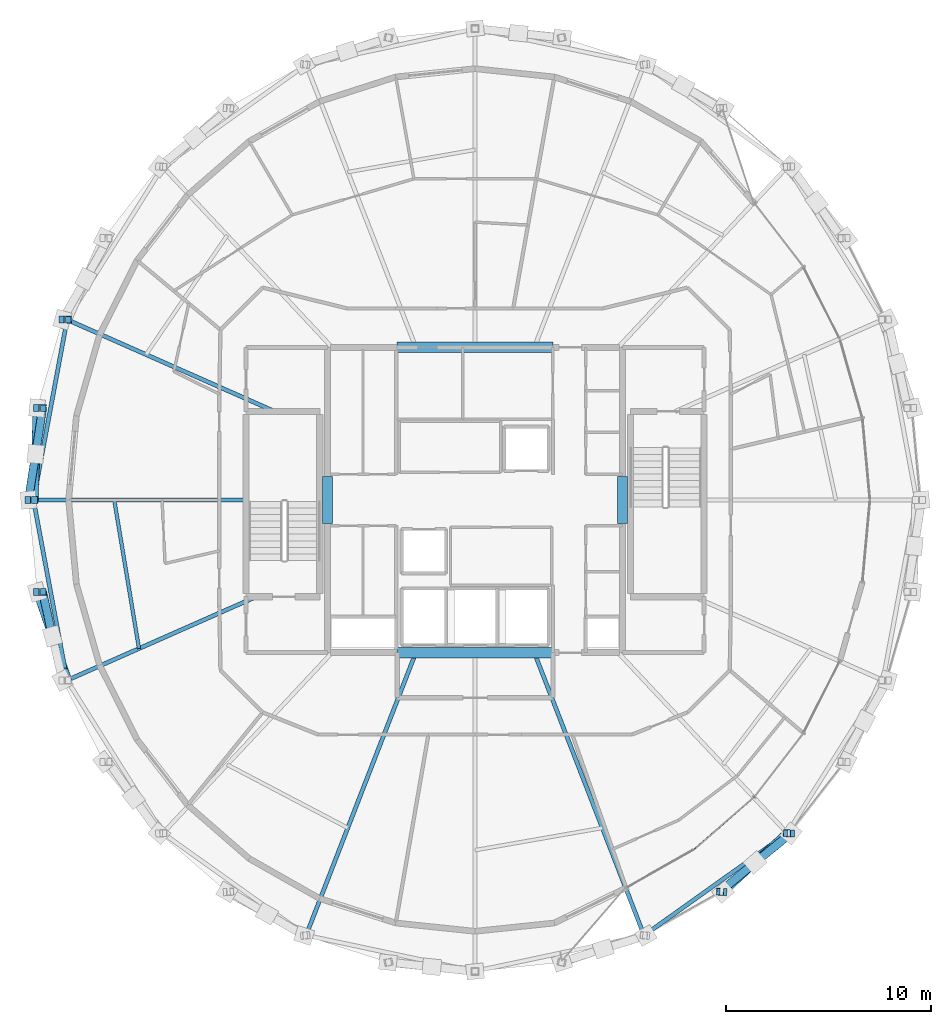
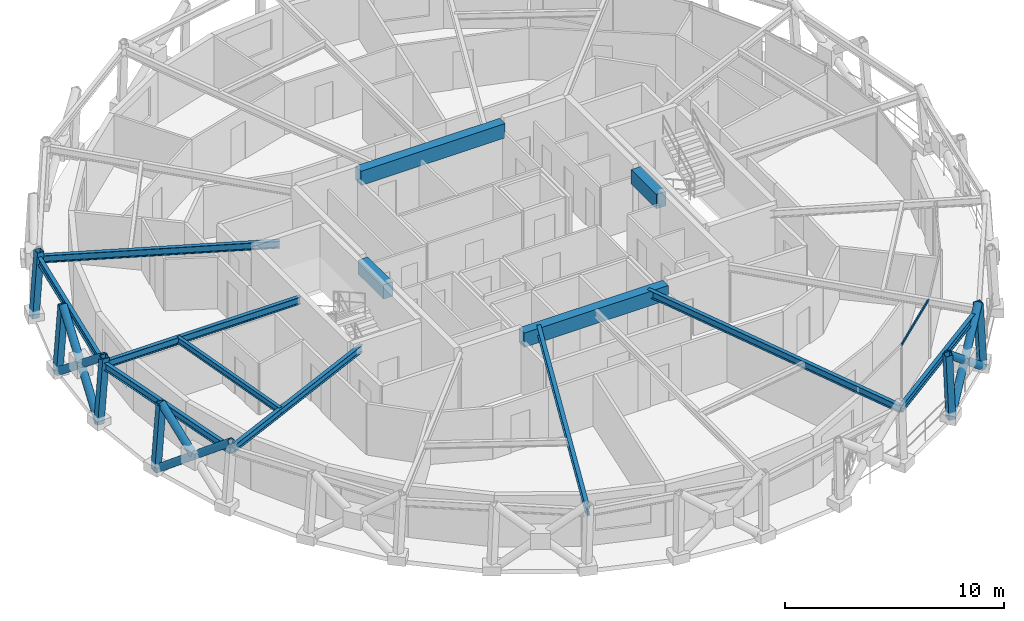
# One storey, part 3 of 15: 15 members, 13 beams, 1 element without a shape of its own.
"""IFC4 building model written with IfcOpenShell, lengths in metres."""

from ifc_helpers import new_model, si_unit, direction, frame, origin, origin_2d, place, context, subcontext, project, spatial, rectangle, hollow_rectangle, hollow_circle, i_section, extrude, material, layer, layer_set, material_profile, profile_set, type_object, element, aggregate, save


model = new_model("IFC4")

# Units and contexts
model_context = context("Model", 3, precision=1e-05, world=origin(), true_north=direction((0.0, 1.0)))
body_context = subcontext(model_context, "Body", "Model", "MODEL_VIEW")
ifc_project = project(units=[si_unit("LENGTHUNIT", "METRE"), si_unit("AREAUNIT", "SQUARE_METRE"), si_unit("VOLUMEUNIT", "CUBIC_METRE"), si_unit("PLANEANGLEUNIT", "RADIAN"), si_unit("MASSUNIT", "GRAM", prefix="KILO")], contexts=[model_context])

# Site, building, storey
site_placement = place(None, origin())
site = spatial("IfcSite", under=ifc_project, at=site_placement, CompositionType="ELEMENT")
building_placement = place(site_placement, origin())
building = spatial("IfcBuilding", under=site, at=building_placement, Name="Veldorina Hangang Commons", CompositionType="ELEMENT")
storey_placement = place(building_placement, frame((0.0, 0.0, 265.199951171875)))
storey = spatial("IfcBuildingStorey", under=building, at=storey_placement, Name="L69", CompositionType="ELEMENT", Elevation=265.199951171875)

# Beams
ifc_material_1 = material(Name="Concrete C50/60", Category="concrete")
ifc_material_profile_1 = material_profile(ifc_material_1, rectangle(XDim=0.5, YDim=0.800048828125, at=origin_2d()), Name="RC-CB-500x800")
ifc_profile_set_1 = profile_set([ifc_material_profile_1], Name="Concrete C50/60")
beam_type_1 = type_object("IfcBeamType", Name="BM-CB800", PredefinedType="LINTEL", material=ifc_profile_set_1)
for number, where, z_axis, x_axis, name in (
    (1, (24.800048828125, 22.85009765625, 2.9599609375), (0.0, 1.0, 0.0), (-1.0, 0.0, 0.0), "L69 W core coupling lintel beam"),
    (2, (39.199951171875, 22.85009765625, 2.9599609375), (0.0, 1.0, 0.0), (-1.0, 0.0, 0.0), "L69 E core coupling lintel beam"),
):
    element("IfcBeam", number, at=place(storey_placement, frame(where, z_axis=z_axis, x_axis=x_axis)), inside=storey, type_object=beam_type_1, Name=name, PredefinedType="LINTEL", context=body_context, shape_type="SweptSolid", body=[
        extrude(rectangle(XDim=0.5, YDim=0.800048828125, at=origin_2d()), origin(), (0.0, 0.0, 1.0), 2.2998046875),
    ])
for number, where, z_axis, x_axis, name in (
    (3, (28.199951171875, 16.550048828125, 2.9599609375), (1.0, 0.0, 0.0), (0.0, 1.0, 0.0), "L69 south core coupling beam"),
    (4, (28.199951171875, 31.449951171875, 2.9599609375), (1.0, 0.0, 0.0), (0.0, 1.0, 0.0), "L69 north core coupling beam"),
):
    element("IfcBeam", number, at=place(storey_placement, frame(where, z_axis=z_axis, x_axis=x_axis)), inside=storey, type_object=beam_type_1, Name=name, PredefinedType="LINTEL", context=body_context, shape_type="SweptSolid", body=[
        extrude(rectangle(XDim=0.5, YDim=0.800048828125, at=origin_2d()), origin(), (0.0, 0.0, 1.0), 7.60009765625),
    ])
ifc_material_2 = material(Name="Steel SM355-TMC", Category="steel")
ifc_material_profile_2 = material_profile(ifc_material_2, i_section(OverallWidth=0.199951171875, OverallDepth=0.39990234375, WebThickness=0.008056640625, FlangeThickness=0.012939453125, FilletRadius=0.012939453125, at=origin_2d()), Name="H-400x200x8x13")
ifc_profile_set_2 = profile_set([ifc_material_profile_2], Name="Steel SM355-TMC")
beam_type_2 = type_object("IfcBeamType", Name="BM-FG400", PredefinedType="BEAM", material=ifc_profile_set_2)
beam_1_placement = place(storey_placement, frame((22.22705078125, 28.320068359375, 3.16015625), z_axis=(-0.914624479326, 0.404304417263, 0.0), x_axis=(-0.404304417263, -0.914624479326, 0.0)))
element("IfcBeam", 5, at=beam_1_placement, inside=storey, type_object=beam_type_2, Name="L69 radial floor girder 08", PredefinedType="BEAM", context=body_context, shape_type="SweptSolid", body=[
    extrude(i_section(OverallWidth=0.199951171875, OverallDepth=0.39990234375, WebThickness=0.008056640625, FlangeThickness=0.012939453125, FilletRadius=0.012939453125, at=origin_2d()), origin(), (0.0, 0.0, 1.0), 11.083740234375),
])
beam_2_placement = place(storey_placement, frame((20.820068359375, 24.0, 3.16015625), z_axis=(-1.0, 0.0, 0.0), x_axis=(0.0, -1.0, 0.0)))
element("IfcBeam", 6, at=beam_2_placement, inside=storey, type_object=beam_type_2, Name="L69 radial floor girder 09", PredefinedType="BEAM", context=body_context, shape_type="SweptSolid", body=[
    extrude(i_section(OverallWidth=0.199951171875, OverallDepth=0.39990234375, WebThickness=0.008056640625, FlangeThickness=0.012939453125, FilletRadius=0.012939453125, at=origin_2d()), origin(), (0.0, 0.0, 1.0), 10.37109375),
])
beam_3_placement = place(storey_placement, frame((21.322265625, 19.280029296875, 3.16015625), z_axis=(-0.914622550318, -0.404308781069, 0.0), x_axis=(0.404308781069, -0.914622550318, 0.0)))
element("IfcBeam", 7, at=beam_3_placement, inside=storey, type_object=beam_type_2, Name="L69 radial floor girder 10", PredefinedType="BEAM", context=body_context, shape_type="SweptSolid", body=[
    extrude(i_section(OverallWidth=0.199951171875, OverallDepth=0.39990234375, WebThickness=0.008056640625, FlangeThickness=0.012939453125, FilletRadius=0.012939453125, at=origin_2d()), origin(), (0.0, 0.0, 1.0), 10.094482421875),
])
for number, where, z_axis, x_axis, name in (
    (8, (29.1083984375, 16.550048828125, 3.16015625), (-0.361852365043, -0.932235413355, 0.0), (0.932235413355, -0.361852365043, 0.0), "L69 radial floor girder 12"),
    (9, (34.8916015625, 16.550048828125, 3.16015625), (0.361852365043, -0.932235413355, 0.0), (0.932235413355, 0.361852365043, 0.0), "L69 radial floor girder 14"),
):
    element("IfcBeam", number, at=place(storey_placement, frame(where, z_axis=z_axis, x_axis=x_axis)), inside=storey, type_object=beam_type_2, Name=name, PredefinedType="BEAM", context=body_context, shape_type="SweptSolid", body=[
        extrude(i_section(OverallWidth=0.199951171875, OverallDepth=0.39990234375, WebThickness=0.008056640625, FlangeThickness=0.012939453125, FilletRadius=0.012939453125, at=origin_2d()), origin(), (0.0, 0.0, 1.0), 14.80078125),
    ])
ifc_material_profile_3 = material_profile(ifc_material_2, i_section(OverallWidth=0.175048828125, OverallDepth=0.35009765625, WebThickness=0.007080078125, FlangeThickness=0.010986328125, FilletRadius=0.012939453125, at=origin_2d()), Name="H-350x175x7x11")
ifc_profile_set_3 = profile_set([ifc_material_profile_3], Name="Steel SM355-TMC")
beam_type_3 = type_object("IfcBeamType", Name="BM-JST350", PredefinedType="JOIST", material=ifc_profile_set_3)
beam_4_placement = place(storey_placement, frame((14.389892578125, 24.0, 3.18505859375), z_axis=(0.164350510367, -0.986402002098, 0.0), x_axis=(0.986402002098, 0.164350510367, 0.0)))
element("IfcBeam", 10, at=beam_4_placement, inside=storey, type_object=beam_type_3, Name="L69 secondary floor joist 09", PredefinedType="JOIST", context=body_context, shape_type="SweptSolid", body=[
    extrude(i_section(OverallWidth=0.175048828125, OverallDepth=0.35009765625, WebThickness=0.007080078125, FlangeThickness=0.010986328125, FilletRadius=0.012939453125, at=origin_2d()), origin(), (0.0, 0.0, 1.0), 7.35009765625),
])
ifc_material_profile_4 = material_profile(ifc_material_2, i_section(OverallWidth=0.199951171875, OverallDepth=0.39990234375, WebThickness=0.008056640625, FlangeThickness=0.012939453125, FilletRadius=0.012939453125, at=origin_2d()), Name="H-400x200x8x13")
ifc_profile_set_4 = profile_set([ifc_material_profile_4], Name="Steel SM355-TMC")
beam_type_4 = type_object("IfcBeamType", Name="BM-RB400", PredefinedType="BEAM", material=ifc_profile_set_4)
for number, where, z_axis, x_axis, name in (
    (11, (12.089599609375, 32.80126953125, 3.16015625), (-0.183251161697, -0.983066127855, 0.0), (0.983066127855, -0.183251161697, 0.0), "L69 perimeter hoop ring beam 14"),
    (12, (10.448974609375, 24.0, 3.16015625), (0.183251161697, -0.983066127855, 0.0), (0.983066127855, 0.183251161697, 0.0), "L69 perimeter hoop ring beam 16"),
):
    element("IfcBeam", number, at=place(storey_placement, frame(where, z_axis=z_axis, x_axis=x_axis)), inside=storey, type_object=beam_type_4, Name=name, PredefinedType="BEAM", context=body_context, shape_type="SweptSolid", body=[
        extrude(i_section(OverallWidth=0.199951171875, OverallDepth=0.39990234375, WebThickness=0.008056640625, FlangeThickness=0.012939453125, FilletRadius=0.012939453125, at=origin_2d()), origin(), (0.0, 0.0, 1.0), 8.952880859375),
    ])
beam_5_placement = place(storey_placement, frame((40.247314453125, 2.752197265625, 3.16015625), z_axis=(0.814213450629, 0.580565635234, 0.0), x_axis=(-0.580565635234, 0.814213450629, 0.0)))
element("IfcBeam", 13, at=beam_5_placement, inside=storey, type_object=beam_type_4, Name="L69 perimeter hoop ring beam 26", PredefinedType="BEAM", context=body_context, shape_type="SweptSolid", body=[
    extrude(i_section(OverallWidth=0.199951171875, OverallDepth=0.39990234375, WebThickness=0.008056640625, FlangeThickness=0.012939453125, FilletRadius=0.012939453125, at=origin_2d()), origin(), (0.0, 0.0, 1.0), 8.587158203125),
])

# Curtain wall, member
ifc_material_3 = material(Name="Glass Low-E Selective", Category="glass")
ifc_layer = layer(ifc_material_3, 0.179931640625)
ifc_layer_set = layer_set([ifc_layer], Name="Glass Low-E Selective")
curtain_wall_type = type_object("IfcCurtainWallType", Name="CW-SYS-Z3", PredefinedType="NOTDEFINED", material=ifc_layer_set)
curtain_wall_placement = place(storey_placement, origin())
curtain_wall = element("IfcCurtainWall", 14, at=curtain_wall_placement, inside=storey, type_object=curtain_wall_type, Name="L69 unitised curtain wall CW-L69-R1", PredefinedType="NOTDEFINED")
ifc_material_4 = material(Name="Aluminium Anodized AA6063-T6", Category="aluminium")
ifc_material_profile_5 = material_profile(ifc_material_4, hollow_rectangle(XDim=0.06005859375, YDim=0.139892578125, WallThickness=0.00341796875, at=origin_2d()), Name="ALU-RHS-140x60x3.5")
ifc_profile_set_5 = profile_set([ifc_material_profile_5], Name="Aluminium Anodized AA6063-T6")
member_type_1 = type_object("IfcMemberType", Name="CW-TRN-140", PredefinedType="USERDEFINED", material=ifc_profile_set_5)
member_1_placement = place(storey_placement, frame((42.70947265625, 6.9638671875, 3.280029296875), z_axis=(0.753586316387, 0.657348966497, 0.0), x_axis=(-0.657348966497, 0.753586316387, 0.0)))
member_1 = element("IfcMember", 15, at=member_1_placement, type_object=member_type_1, Name="CW-L69-R1 facet 2 transom 1", ObjectType="TRANSOM", PredefinedType="USERDEFINED", context=body_context, shape_type="SweptSolid", body=[
    extrude(hollow_rectangle(XDim=0.06005859375, YDim=0.139892578125, WallThickness=0.00341796875, at=origin_2d()), origin(), (0.0, 0.0, 1.0), 3.876220703125),
])
aggregate(curtain_wall, [member_1])

# Members
ifc_material_profile_6 = material_profile(ifc_material_2, hollow_circle(Radius=0.199951171875, WallThickness=0.02001953125, at=origin_2d()), Name="CHS-400x20")
ifc_profile_set_6 = profile_set([ifc_material_profile_6], Name="Steel SM355-TMC")
member_type_2 = type_object("IfcMemberType", Name="DG-CHS400", PredefinedType="BRACE", material=ifc_profile_set_6)
member_2_placement = place(storey_placement, frame((10.622314453125, 28.489013671875, 0.0), z_axis=(-0.024176620183, -0.779886868968, 0.625453405657), x_axis=(0.999519840993, -0.030985278151, 0.0)))
element("IfcMember", 16, at=member_2_placement, inside=storey, type_object=member_type_2, Name="L69 continuous perimeter diagrid brace 15", PredefinedType="BRACE", context=body_context, shape_type="SweptSolid", body=[
    extrude(hollow_circle(Radius=0.199951171875, WallThickness=0.02001953125, at=origin_2d()), origin(), (0.0, 0.0, 1.0), 5.755859375),
])
member_3_placement = place(storey_placement, frame((10.20361328125, 24.0, 0.0), z_axis=(0.120474032809, 0.77423521784, 0.621325868506), x_axis=(-0.988109209991, 0.153753663796, 0.0)))
element("IfcMember", 17, at=member_3_placement, inside=storey, type_object=member_type_2, Name="L69 split perimeter diagrid lower brace 16", PredefinedType="BRACE", context=body_context, shape_type="SweptSolid", body=[
    extrude(hollow_circle(Radius=0.199951171875, WallThickness=0.02001953125, at=origin_2d()), origin(), (0.0, 0.0, 1.0), 2.89794921875),
])
member_4_placement = place(storey_placement, frame((10.552734375, 26.24365234375, 1.800537109375), z_axis=(0.118694977676, 0.774467869255, 0.621378324184), x_axis=(-0.988458605246, 0.151491206725, 0.0)))
element("IfcMember", 18, at=member_4_placement, inside=storey, type_object=member_type_2, Name="L69 split perimeter diagrid upper brace 16", PredefinedType="BRACE", context=body_context, shape_type="SweptSolid", body=[
    extrude(hollow_circle(Radius=0.199951171875, WallThickness=0.02001953125, at=origin_2d()), origin(), (0.0, 0.0, 1.0), 2.89599609375),
])
member_5_placement = place(storey_placement, frame((10.622314453125, 19.510986328125, 0.0), z_axis=(0.257812075867, -0.741645424305, 0.619269729717), x_axis=(0.944556670514, 0.328348437162, 0.0)))
element("IfcMember", 19, at=member_5_placement, inside=storey, type_object=member_type_2, Name="L69 continuous perimeter diagrid brace 17", PredefinedType="BRACE", context=body_context, shape_type="SweptSolid", body=[
    extrude(hollow_circle(Radius=0.199951171875, WallThickness=0.02001953125, at=origin_2d()), origin(), (0.0, 0.0, 1.0), 5.8134765625),
])
member_6_placement = place(storey_placement, frame((11.372314453125, 17.353759765625, 1.80126953125), z_axis=(-0.166918238222, 0.75759811971, 0.631017742033), x_axis=(-0.976577700851, -0.215165039448, 0.0)))
element("IfcMember", 20, at=member_6_placement, inside=storey, type_object=member_type_2, Name="L69 split perimeter diagrid upper brace 18", PredefinedType="BRACE", context=body_context, shape_type="SweptSolid", body=[
    extrude(hollow_circle(Radius=0.199951171875, WallThickness=0.02001953125, at=origin_2d()), origin(), (0.0, 0.0, 1.0), 2.8505859375),
])
member_7_placement = place(storey_placement, frame((44.109375, 4.86865234375, 0.0), z_axis=(0.559153356685, 0.516817899299, 0.648264438846), x_axis=(-0.678759565124, 0.734360574073, 0.0)))
element("IfcMember", 21, at=member_7_placement, inside=storey, type_object=member_type_2, Name="L69 continuous perimeter diagrid brace 27", PredefinedType="BRACE", context=body_context, shape_type="SweptSolid", body=[
    extrude(hollow_circle(Radius=0.199951171875, WallThickness=0.02001953125, at=origin_2d()), origin(), (0.0, 0.0, 1.0), 5.553466796875),
])
member_8_placement = place(storey_placement, frame((47.412353515625, 7.72998046875, 0.0), z_axis=(-0.604514590713, -0.492410765284, 0.626173895853), x_axis=(0.631552173455, -0.77533338133, 0.0)))
element("IfcMember", 22, at=member_8_placement, inside=storey, type_object=member_type_2, Name="L69 split perimeter diagrid lower brace 28", PredefinedType="BRACE", context=body_context, shape_type="SweptSolid", body=[
    extrude(hollow_circle(Radius=0.199951171875, WallThickness=0.02001953125, at=origin_2d()), origin(), (0.0, 0.0, 1.0), 2.885498046875),
])
member_9_placement = place(storey_placement, frame((45.66796875, 6.30908203125, 1.806884765625), z_axis=(-0.598542896886, -0.499553110093, 0.626253216186), x_axis=(0.64076510214, -0.76773698874, 0.0)))
element("IfcMember", 23, at=member_9_placement, inside=storey, type_object=member_type_2, Name="L69 split perimeter diagrid upper brace 28", PredefinedType="BRACE", context=body_context, shape_type="SweptSolid", body=[
    extrude(hollow_circle(Radius=0.199951171875, WallThickness=0.02001953125, at=origin_2d()), origin(), (0.0, 0.0, 1.0), 2.86328125),
])
ifc_material_profile_7 = material_profile(ifc_material_2, hollow_rectangle(XDim=0.35009765625, YDim=0.35009765625, WallThickness=0.01611328125, at=origin_2d()), Name="SHS-350x350x16")
ifc_profile_set_7 = profile_set([ifc_material_profile_7], Name="Steel SM355-TMC")
member_type_3 = type_object("IfcMemberType", Name="STR-SHS350", PredefinedType="STRUT", material=ifc_profile_set_7)
member_10_placement = place(storey_placement, frame((11.86279296875, 32.80517578125, 0.0), z_axis=(0.071564248181, -0.00128518026, 0.997435164156), x_axis=(0.017955516964, 0.99983878671, 0.0)))
element("IfcMember", 24, at=member_10_placement, inside=storey, type_object=member_type_3, Name="L69 perimeter ring node post 14", PredefinedType="STRUT", context=body_context, shape_type="SweptSolid", body=[
    extrude(hollow_rectangle(XDim=0.35009765625, YDim=0.35009765625, WallThickness=0.01611328125, at=origin_2d()), origin(), (0.0, 0.0, 1.0), 3.609375),
])
member_11_placement = place(storey_placement, frame((10.622314453125, 28.489013671875, 0.0), z_axis=(0.07593633992, -0.000676191807, 0.997112438516), x_axis=(0.008904366477, 0.999960355343, 0.0)))
element("IfcMember", 25, at=member_11_placement, inside=storey, type_object=member_type_3, Name="L69 perimeter ring node post 15", PredefinedType="STRUT", context=body_context, shape_type="SweptSolid", body=[
    extrude(hollow_rectangle(XDim=0.35009765625, YDim=0.35009765625, WallThickness=0.01611328125, at=origin_2d()), origin(), (0.0, 0.0, 1.0), 3.610595703125),
])
member_12_placement = place(storey_placement, frame((10.20361328125, 24.0, 0.0), z_axis=(0.077415149265, 0.0, 0.996998944164), x_axis=(0.0, 1.0, 0.0)))
element("IfcMember", 26, at=member_12_placement, inside=storey, type_object=member_type_3, Name="L69 perimeter ring node post 16", PredefinedType="STRUT", context=body_context, shape_type="SweptSolid", body=[
    extrude(hollow_rectangle(XDim=0.35009765625, YDim=0.35009765625, WallThickness=0.01611328125, at=origin_2d()), origin(), (0.0, 0.0, 1.0), 3.61083984375),
])
member_13_placement = place(storey_placement, frame((10.622314453125, 19.510986328125, 0.0), z_axis=(0.07593633992, 0.000676191807, 0.997112438516), x_axis=(-0.008904366477, 0.999960355343, 0.0)))
element("IfcMember", 27, at=member_13_placement, inside=storey, type_object=member_type_3, Name="L69 perimeter ring node post 17", PredefinedType="STRUT", context=body_context, shape_type="SweptSolid", body=[
    extrude(hollow_rectangle(XDim=0.35009765625, YDim=0.35009765625, WallThickness=0.01611328125, at=origin_2d()), origin(), (0.0, 0.0, 1.0), 3.610595703125),
])
member_14_placement = place(storey_placement, frame((44.109375, 4.86865234375, 0.0), z_axis=(-0.043090113968, 0.002777821812, 0.999067327954), x_axis=(-0.064331872556, -0.997928559654, 0.0)))
element("IfcMember", 28, at=member_14_placement, inside=storey, type_object=member_type_3, Name="L69 perimeter ring node post 27", PredefinedType="STRUT", context=body_context, shape_type="SweptSolid", body=[
    extrude(hollow_rectangle(XDim=0.35009765625, YDim=0.35009765625, WallThickness=0.01611328125, at=origin_2d()), origin(), (0.0, 0.0, 1.0), 3.603515625),
])
member_15_placement = place(storey_placement, frame((47.412353515625, 7.72998046875, 0.0), z_axis=(-0.054847303698, 0.002437657942, 0.998491778184), x_axis=(-0.044400613621, -0.999013806466, 0.0)))
element("IfcMember", 29, at=member_15_placement, inside=storey, type_object=member_type_3, Name="L69 perimeter ring node post 28", PredefinedType="STRUT", context=body_context, shape_type="SweptSolid", body=[
    extrude(hollow_rectangle(XDim=0.35009765625, YDim=0.35009765625, WallThickness=0.01611328125, at=origin_2d()), origin(), (0.0, 0.0, 1.0), 3.60546875),
])

save(model, "model.ifc")
